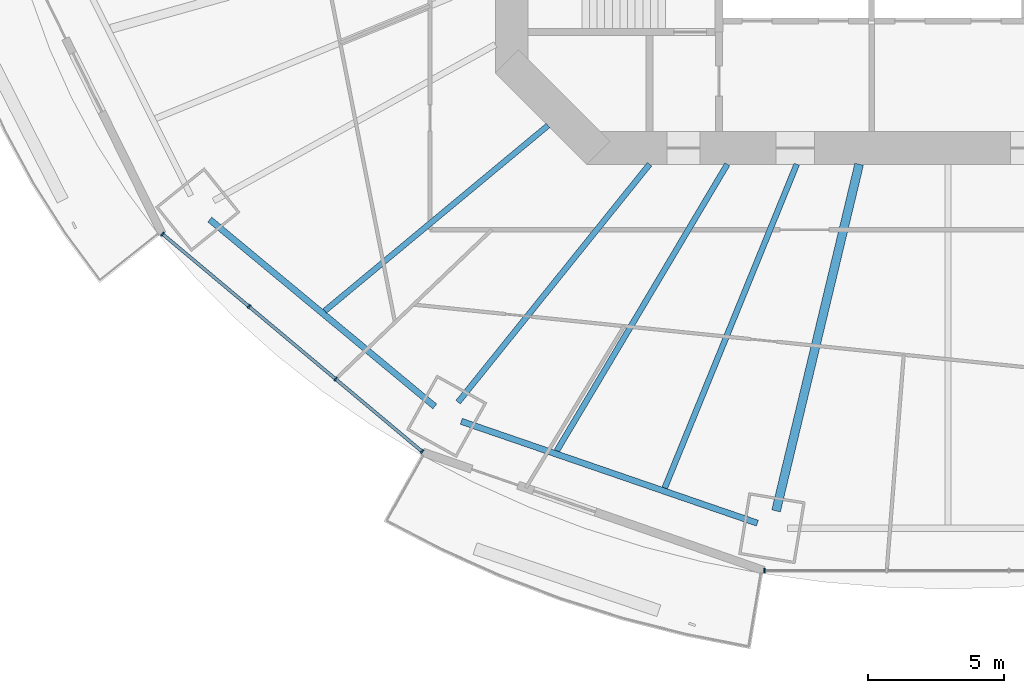
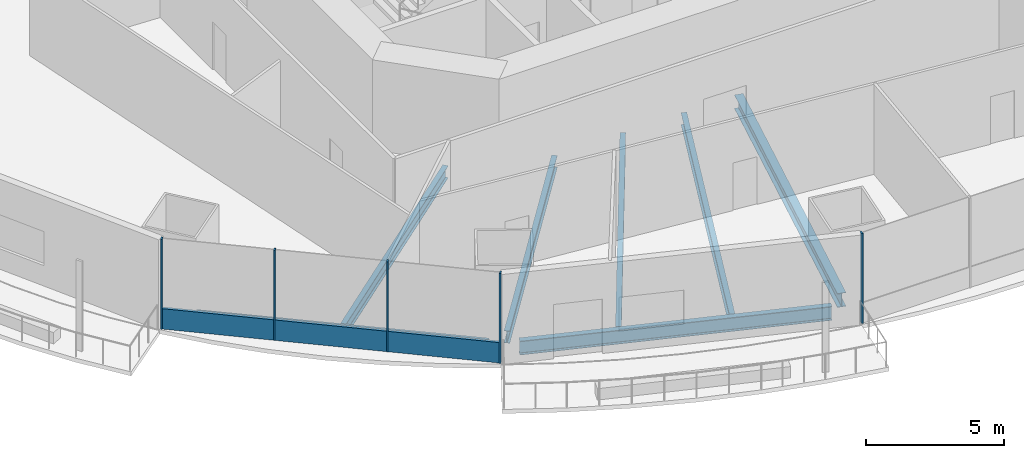
# One storey, part 2 of 22: 7 beams, 6 members, 2 elements without a shape of their own.
"""IFC4 building model written with IfcOpenShell, lengths in metres."""

from ifc_helpers import new_model, si_unit, direction, frame, origin, origin_2d, place, context, subcontext, project, spatial, rectangle, i_section, extrude, material, material_profile, profile_set, type_object, element, aggregate, save


model = new_model("IFC4")

# Units and contexts
model_context = context("Model", 3, precision=1e-05, world=origin(), true_north=direction((0.0, 1.0)))
body_context = subcontext(model_context, "Body", "Model", "MODEL_VIEW")
ifc_project = project(units=[si_unit("LENGTHUNIT", "METRE"), si_unit("AREAUNIT", "SQUARE_METRE"), si_unit("VOLUMEUNIT", "CUBIC_METRE"), si_unit("PLANEANGLEUNIT", "RADIAN"), si_unit("MASSUNIT", "GRAM", prefix="KILO")], contexts=[model_context])

# Site, building, storey
site_placement = place(None, origin())
site = spatial("IfcSite", under=ifc_project, at=site_placement, CompositionType="ELEMENT")
building_placement = place(site_placement, origin())
building = spatial("IfcBuilding", under=site, at=building_placement, Name="Marenthal Gate Tower", CompositionType="ELEMENT")
storey_placement = place(building_placement, frame((0.0, 0.0, 99.39990234375)))
storey = spatial("IfcBuildingStorey", under=building, at=storey_placement, Name="L20", CompositionType="ELEMENT", Elevation=99.39990234375)

# Curtain wall, members
ifc_material_1 = material(Name="Aluminium and glass", Category="aluminium")
curtain_wall_type = type_object("IfcCurtainWallType", Name="Curtain wall typical low", PredefinedType="NOTDEFINED", material=ifc_material_1)
curtain_wall_1_placement = place(storey_placement, origin())
curtain_wall_1 = element("IfcCurtainWall", 1, at=curtain_wall_1_placement, inside=storey, type_object=curtain_wall_type, Name="Curtain wall L20 bay 10", PredefinedType="NOTDEFINED")
ifc_material_2 = material(Name="Aluminium", Category="aluminium")
ifc_material_profile_1 = material_profile(ifc_material_2, rectangle(XDim=0.159912109375, YDim=0.06005859375, at=origin_2d()), Name="60x160 aluminium mullion")
ifc_profile_set_1 = profile_set([ifc_material_profile_1], Name="Aluminium")
member_type_1 = type_object("IfcMemberType", Name="Mullion 60x160 typical low", PredefinedType="MULLION", material=ifc_profile_set_1)
member_1_placement = place(storey_placement, frame((-28.802490234375, -16.16015625, 0.0), z_axis=(0.0, 0.0, 1.0), x_axis=(0.642307658805, 0.766446913648, 0.0)))
member_1 = element("IfcMember", 2, at=member_1_placement, type_object=member_type_1, Name="Mullion L20 bay 10.1", PredefinedType="MULLION", context=body_context, shape_type="SweptSolid", body=[
    extrude(rectangle(XDim=0.159912109375, YDim=0.06005859375, at=origin_2d()), origin(), (0.0, 0.0, 1.0), 3.97021484375),
])
member_2_placement = place(storey_placement, frame((-25.62939453125, -18.8193359375, 0.0), z_axis=(0.0, 0.0, 1.0), x_axis=(0.642307658805, 0.766446913648, 0.0)))
member_2 = element("IfcMember", 3, at=member_2_placement, type_object=member_type_1, Name="Mullion L20 bay 10.2", PredefinedType="MULLION", context=body_context, shape_type="SweptSolid", body=[
    extrude(rectangle(XDim=0.159912109375, YDim=0.06005859375, at=origin_2d()), origin(), (0.0, 0.0, 1.0), 3.97021484375),
])
member_3_placement = place(storey_placement, frame((-22.45654296875, -21.478271484375, 0.0), z_axis=(0.0, 0.0, 1.0), x_axis=(0.642307658805, 0.766446913648, 0.0)))
member_3 = element("IfcMember", 4, at=member_3_placement, type_object=member_type_1, Name="Mullion L20 bay 10.3", PredefinedType="MULLION", context=body_context, shape_type="SweptSolid", body=[
    extrude(rectangle(XDim=0.159912109375, YDim=0.06005859375, at=origin_2d()), origin(), (0.0, 0.0, 1.0), 3.97021484375),
])
member_4_placement = place(storey_placement, frame((-19.283447265625, -24.137451171875, 0.0), z_axis=(0.0, 0.0, 1.0), x_axis=(0.642307658805, 0.766446913648, 0.0)))
member_4 = element("IfcMember", 5, at=member_4_placement, type_object=member_type_1, Name="Mullion L20 bay 10.4", PredefinedType="MULLION", context=body_context, shape_type="SweptSolid", body=[
    extrude(rectangle(XDim=0.159912109375, YDim=0.06005859375, at=origin_2d()), origin(), (0.0, 0.0, 1.0), 3.97021484375),
])

# Curtain wall, member
curtain_wall_2_placement = place(storey_placement, origin())
curtain_wall_2 = element("IfcCurtainWall", 6, at=curtain_wall_2_placement, inside=storey, type_object=curtain_wall_type, Name="Curtain wall L20 bay 12", PredefinedType="NOTDEFINED")
member_5_placement = place(storey_placement, frame((-6.7333984375, -28.494873046875, 0.0), z_axis=(0.0, 0.0, 1.0), x_axis=(0.0, 1.0, 0.0)))
member_5 = element("IfcMember", 7, at=member_5_placement, type_object=member_type_1, Name="Mullion L20 bay 12.1", PredefinedType="MULLION", context=body_context, shape_type="SweptSolid", body=[
    extrude(rectangle(XDim=0.159912109375, YDim=0.06005859375, at=origin_2d()), origin(), (0.0, 0.0, 1.0), 3.97021484375),
])
aggregate(curtain_wall_2, [member_5])

# Member
ifc_material_3 = material(Name="Aluminium", Category="aluminium")
ifc_material_profile_2 = material_profile(ifc_material_3, rectangle(XDim=0.1201171875, YDim=0.89990234375, at=origin_2d()), Name="120x900 aluminium transom")
ifc_profile_set_2 = profile_set([ifc_material_profile_2], Name="Aluminium")
member_type_2 = type_object("IfcMemberType", Name="Transom 120x900 typical low", PredefinedType="USERDEFINED", material=ifc_profile_set_2)
member_6_placement = place(storey_placement, frame((-28.779296875, -16.179443359375, 0.4501953125), z_axis=(0.766442158037, -0.642313333494, 0.0), x_axis=(0.642313333494, 0.766442158037, 0.0)))
member_6 = element("IfcMember", 8, at=member_6_placement, type_object=member_type_2, Name="Transom L20 bay 10", ObjectType="TRANSOM", PredefinedType="USERDEFINED", context=body_context, shape_type="SweptSolid", body=[
    extrude(rectangle(XDim=0.1201171875, YDim=0.89990234375, at=origin_2d()), origin(), (0.0, 0.0, 1.0), 12.359619140625),
])

aggregate(curtain_wall_1, [member_1, member_2, member_3, member_4, member_6])

# Beams
ifc_material_4 = material(Name="Steel S355", Category="steel")
ifc_material_profile_3 = material_profile(ifc_material_4, i_section(OverallWidth=0.2099609375, OverallDepth=0.535888671875, WebThickness=0.010986328125, FlangeThickness=0.017333984375, FilletRadius=0.0126953125, at=origin_2d()), Name="W530X101")
ifc_profile_set_3 = profile_set([ifc_material_profile_3], Name="Steel S355")
beam_type_1 = type_object("IfcBeamType", Name="W530X101 beam", PredefinedType="BEAM", material=ifc_profile_set_3)
beam_1_placement = place(storey_placement, frame((-22.857666015625, -18.978759765625, -0.447998046875), z_axis=(0.769368830907, 0.63880482311, 0.0), x_axis=(-0.63880482311, 0.769368830907, 0.0)))
element("IfcBeam", 9, at=beam_1_placement, inside=storey, type_object=beam_type_1, Name="BM-L20-31", PredefinedType="BEAM", context=body_context, shape_type="SweptSolid", body=[
    extrude(i_section(OverallWidth=0.2099609375, OverallDepth=0.535888671875, WebThickness=0.010986328125, FlangeThickness=0.017333984375, FilletRadius=0.0126953125, at=origin_2d()), origin(), (0.0, 0.0, 1.0), 10.643310546875),
])
ifc_material_5 = material(Name="Steel S355", Category="steel")
ifc_material_profile_4 = material_profile(ifc_material_5, i_section(OverallWidth=0.2119140625, OverallDepth=0.5439453125, WebThickness=0.01318359375, FlangeThickness=0.021240234375, FilletRadius=0.0126953125, at=origin_2d()), Name="W530X123")
ifc_profile_set_4 = profile_set([ifc_material_profile_4], Name="Steel S355")
beam_type_2 = type_object("IfcBeamType", Name="W530X123 beam", PredefinedType="BEAM", material=ifc_profile_set_4)
beam_2_placement = place(storey_placement, frame((-17.964599609375, -22.3232421875, -0.451904296875), z_axis=(0.626952602909, 0.779057400777, 0.0), x_axis=(-0.779057400777, 0.626952602909, 0.0)))
element("IfcBeam", 10, at=beam_2_placement, inside=storey, type_object=beam_type_2, Name="BM-L20-11", PredefinedType="BEAM", context=body_context, shape_type="SweptSolid", body=[
    extrude(i_section(OverallWidth=0.2119140625, OverallDepth=0.5439453125, WebThickness=0.01318359375, FlangeThickness=0.021240234375, FilletRadius=0.0126953125, at=origin_2d()), origin(), (0.0, 0.0, 1.0), 11.197021484375),
])
beam_3_placement = place(storey_placement, frame((-14.346923828125, -24.10986328125, -0.451904296875), z_axis=(0.511368740727, 0.859361397206, 0.0), x_axis=(-0.859361397206, 0.511368740727, 0.0)))
element("IfcBeam", 11, at=beam_3_placement, inside=storey, type_object=beam_type_2, Name="BM-L20-32", PredefinedType="BEAM", context=body_context, shape_type="SweptSolid", body=[
    extrude(i_section(OverallWidth=0.2119140625, OverallDepth=0.5439453125, WebThickness=0.01318359375, FlangeThickness=0.021240234375, FilletRadius=0.0126953125, at=origin_2d()), origin(), (0.0, 0.0, 1.0), 12.229736328125),
])
beam_4_placement = place(storey_placement, frame((-10.3876953125, -25.4716796875, -0.451904296875), z_axis=(0.377613822907, 0.925963174618, 0.0), x_axis=(-0.925963174618, 0.377613822907, 0.0)))
element("IfcBeam", 12, at=beam_4_placement, inside=storey, type_object=beam_type_2, Name="BM-L20-33", PredefinedType="BEAM", context=body_context, shape_type="SweptSolid", body=[
    extrude(i_section(OverallWidth=0.2119140625, OverallDepth=0.5439453125, WebThickness=0.01318359375, FlangeThickness=0.021240234375, FilletRadius=0.0126953125, at=origin_2d()), origin(), (0.0, 0.0, 1.0), 12.82080078125),
])
ifc_material_6 = material(Name="Steel S355", Category="steel")
ifc_material_profile_5 = material_profile(ifc_material_6, i_section(OverallWidth=0.22900390625, OverallDepth=0.612060546875, WebThickness=0.011962890625, FlangeThickness=0.01953125, FilletRadius=0.0126953125, at=origin_2d()), Name="W610X125")
ifc_profile_set_5 = profile_set([ifc_material_profile_5], Name="Steel S355")
beam_type_3 = type_object("IfcBeamType", Name="W610X125 beam", PredefinedType="BEAM", material=ifc_profile_set_5)
beam_5_placement = place(storey_placement, frame((-27.072021484375, -15.628173828125, -0.48583984375), z_axis=(0.769369356562, -0.638804190017, 0.0), x_axis=(0.638804190017, 0.769369356562, 0.0)))
element("IfcBeam", 13, at=beam_5_placement, inside=storey, type_object=beam_type_3, Name="BM-L20-50", PredefinedType="BEAM", context=body_context, shape_type="SweptSolid", body=[
    extrude(i_section(OverallWidth=0.22900390625, OverallDepth=0.612060546875, WebThickness=0.011962890625, FlangeThickness=0.01953125, FilletRadius=0.0126953125, at=origin_2d()), origin(), (0.0, 0.0, 1.0), 10.7255859375),
])
beam_6_placement = place(storey_placement, frame((-17.84716796875, -23.027099609375, -0.48583984375), z_axis=(0.945633885285, -0.325233077963, 0.0), x_axis=(0.325233077963, 0.945633885285, 0.0)))
element("IfcBeam", 14, at=beam_6_placement, inside=storey, type_object=beam_type_3, Name="BM-L20-51", PredefinedType="BEAM", context=body_context, shape_type="SweptSolid", body=[
    extrude(i_section(OverallWidth=0.22900390625, OverallDepth=0.612060546875, WebThickness=0.011962890625, FlangeThickness=0.01953125, FilletRadius=0.0126953125, at=origin_2d()), origin(), (0.0, 0.0, 1.0), 11.482177734375),
])
ifc_material_7 = material(Name="Steel S355", Category="steel")
ifc_material_profile_6 = material_profile(ifc_material_7, i_section(OverallWidth=0.324951171875, OverallDepth=0.612060546875, WebThickness=0.0126953125, FlangeThickness=0.01904296875, FilletRadius=0.0126953125, at=origin_2d()), Name="W610X155")
ifc_profile_set_6 = profile_set([ifc_material_profile_6], Name="Steel S355")
beam_type_4 = type_object("IfcBeamType", Name="W610X155 beam", PredefinedType="BEAM", material=ifc_profile_set_6)
beam_7_placement = place(storey_placement, frame((-6.302978515625, -26.31005859375, -0.48583984375), z_axis=(0.232977289633, 0.972482175937, 0.0), x_axis=(-0.972482175937, 0.232977289633, 0.0)))
element("IfcBeam", 15, at=beam_7_placement, inside=storey, type_object=beam_type_4, Name="BM-L20-12", PredefinedType="BEAM", context=body_context, shape_type="SweptSolid", body=[
    extrude(i_section(OverallWidth=0.324951171875, OverallDepth=0.612060546875, WebThickness=0.0126953125, FlangeThickness=0.01904296875, FilletRadius=0.0126953125, at=origin_2d()), origin(), (0.0, 0.0, 1.0), 13.069580078125),
])

save(model, "model.ifc")
